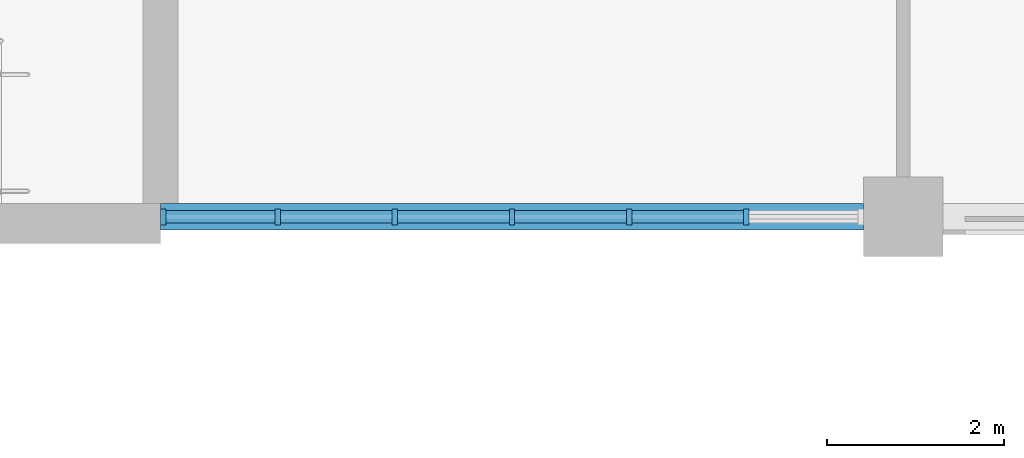
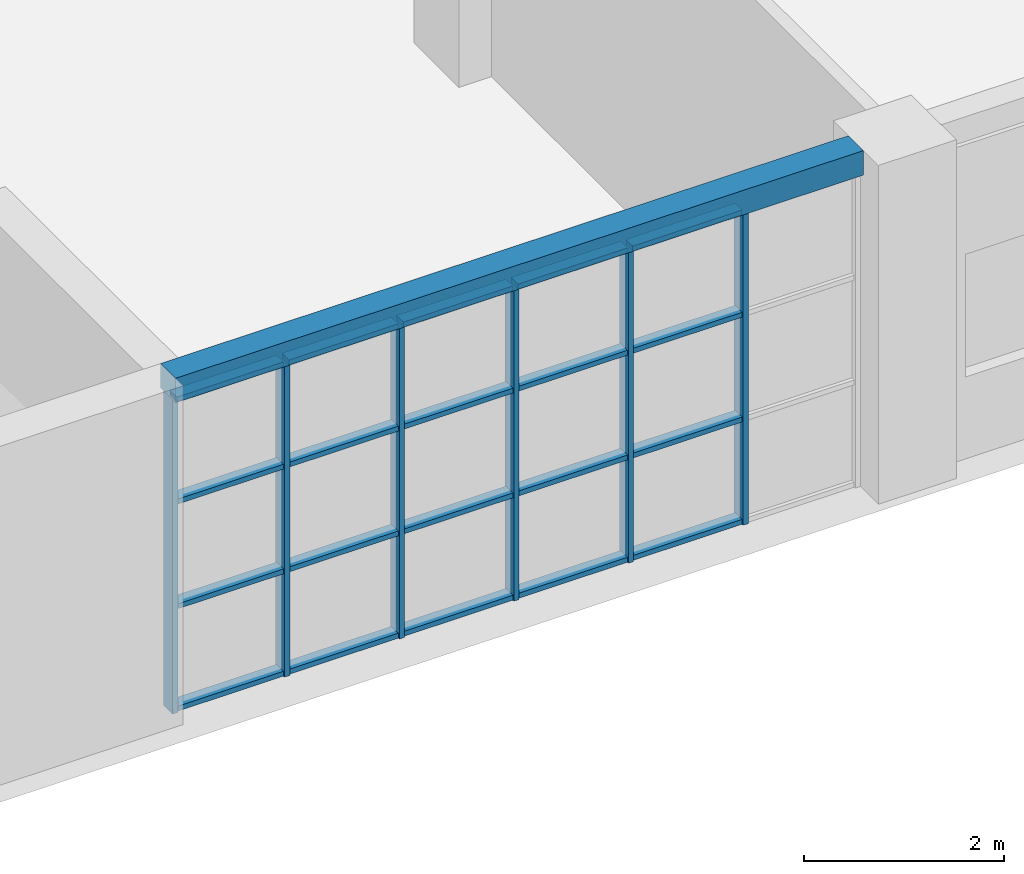
# One storey, part 36 of 138: 26 members, 1 beam, 1 element without a shape of its own.
"""IFC4 building model written with IfcOpenShell, lengths in metres."""

from ifc_helpers import new_model, si_unit, direction, frame, origin, origin_2d, place, context, subcontext, project, spatial, rectangle, extrude, material, material_profile, profile_set, type_object, element, aggregate, save


model = new_model("IFC4")

# Units and contexts
model_context = context("Model", 3, precision=1e-05, world=origin(), true_north=direction((0.0, 1.0)))
body_context = subcontext(model_context, "Body", "Model", "MODEL_VIEW")
ifc_project = project(units=[si_unit("LENGTHUNIT", "METRE"), si_unit("AREAUNIT", "SQUARE_METRE"), si_unit("VOLUMEUNIT", "CUBIC_METRE"), si_unit("PLANEANGLEUNIT", "RADIAN"), si_unit("MASSUNIT", "GRAM", prefix="KILO")], contexts=[model_context])

# Site, building, storey
site_placement = place(None, origin())
site = spatial("IfcSite", under=ifc_project, at=site_placement, CompositionType="ELEMENT")
building_placement = place(site_placement, origin())
building = spatial("IfcBuilding", under=site, at=building_placement, Name="Yavir Park General Hospital", CompositionType="ELEMENT")
storey_placement = place(building_placement, origin())
storey = spatial("IfcBuildingStorey", under=building, at=storey_placement, Name="L00", CompositionType="ELEMENT", Elevation=0.0)

# Beam
ifc_material_1 = material(Name="Concrete C35/45", Category="concrete")
ifc_material_profile_1 = material_profile(ifc_material_1, rectangle(XDim=0.300048828125, YDim=0.300048828125, at=origin_2d()), Name="RC300x300")
ifc_profile_set_1 = profile_set([ifc_material_profile_1], Name="Concrete C35/45")
beam_type = type_object("IfcBeamType", Name="RC BEAM 300x300 edge beam", PredefinedType="BEAM", material=ifc_profile_set_1)
beam_placement = place(storey_placement, frame((109.199951171875, 0.0, 3.989990234375), z_axis=(1.0, 0.0, 0.0), x_axis=(0.0, 1.0, 0.0)))
element("IfcBeam", 1, at=beam_placement, inside=storey, type_object=beam_type, Name="B:EDGE:L00:007", PredefinedType="BEAM", context=body_context, shape_type="SweptSolid", body=[
    extrude(rectangle(XDim=0.300048828125, YDim=0.300048828125, at=origin_2d()), origin(), (0.0, 0.0, 1.0), 7.949951171875),
])

# Curtain wall, members
ifc_material_2 = material(Name="Aluminium curtain wall frame with insulated glazing", Category="aluminium")
curtain_wall_type = type_object("IfcCurtainWallType", Name="Reception glazing, 3840 high, 1400 module", PredefinedType="NOTDEFINED", material=ifc_material_2)
curtain_wall_placement = place(storey_placement, origin())
curtain_wall = element("IfcCurtainWall", 2, at=curtain_wall_placement, inside=storey, type_object=curtain_wall_type, Name="CW8 L00-004", PredefinedType="NOTDEFINED")
ifc_material_3 = material(Name="Aluminium", Category="aluminium")
ifc_material_profile_2 = material_profile(ifc_material_3, rectangle(XDim=0.179931640625, YDim=0.06005859375, at=origin_2d()), Name="AL 60x180")
ifc_profile_set_2 = profile_set([ifc_material_profile_2], Name="Aluminium")
member_type_1 = type_object("IfcMemberType", Name="Reception glazing, 3840 high mullion 60 x 180", PredefinedType="MULLION", material=ifc_profile_set_2)
member_1_placement = place(storey_placement, frame((109.22998046875, 0.0, 0.0), z_axis=(0.0, 0.0, 1.0), x_axis=(0.0, 1.0, 0.0)))
member_1 = element("IfcMember", 3, at=member_1_placement, type_object=member_type_1, Name="CW8 mullion 1", PredefinedType="MULLION", context=body_context, shape_type="SweptSolid", body=[
    extrude(rectangle(XDim=0.179931640625, YDim=0.06005859375, at=origin_2d()), origin(), (0.0, 0.0, 1.0), 3.840087890625),
])
member_2_placement = place(storey_placement, frame((110.52490234375, 0.0, 0.0), z_axis=(0.0, 0.0, 1.0), x_axis=(0.0, 1.0, 0.0)))
member_2 = element("IfcMember", 4, at=member_2_placement, type_object=member_type_1, Name="CW8 mullion 2", PredefinedType="MULLION", context=body_context, shape_type="SweptSolid", body=[
    extrude(rectangle(XDim=0.179931640625, YDim=0.06005859375, at=origin_2d()), origin(), (0.0, 0.0, 1.0), 3.840087890625),
])
member_3_placement = place(storey_placement, frame((111.85009765625, 0.0, 0.0), z_axis=(0.0, 0.0, 1.0), x_axis=(0.0, 1.0, 0.0)))
member_3 = element("IfcMember", 5, at=member_3_placement, type_object=member_type_1, Name="CW8 mullion 3", PredefinedType="MULLION", context=body_context, shape_type="SweptSolid", body=[
    extrude(rectangle(XDim=0.179931640625, YDim=0.06005859375, at=origin_2d()), origin(), (0.0, 0.0, 1.0), 3.840087890625),
])
member_4_placement = place(storey_placement, frame((113.175048828125, 0.0, 0.0), z_axis=(0.0, 0.0, 1.0), x_axis=(0.0, 1.0, 0.0)))
member_4 = element("IfcMember", 6, at=member_4_placement, type_object=member_type_1, Name="CW8 mullion 4", PredefinedType="MULLION", context=body_context, shape_type="SweptSolid", body=[
    extrude(rectangle(XDim=0.179931640625, YDim=0.06005859375, at=origin_2d()), origin(), (0.0, 0.0, 1.0), 3.840087890625),
])
member_5_placement = place(storey_placement, frame((114.5, 0.0, 0.0), z_axis=(0.0, 0.0, 1.0), x_axis=(0.0, 1.0, 0.0)))
member_5 = element("IfcMember", 7, at=member_5_placement, type_object=member_type_1, Name="CW8 mullion 5", PredefinedType="MULLION", context=body_context, shape_type="SweptSolid", body=[
    extrude(rectangle(XDim=0.179931640625, YDim=0.06005859375, at=origin_2d()), origin(), (0.0, 0.0, 1.0), 3.840087890625),
])
member_6_placement = place(storey_placement, frame((115.824951171875, 0.0, 0.0), z_axis=(0.0, 0.0, 1.0), x_axis=(0.0, 1.0, 0.0)))
member_6 = element("IfcMember", 8, at=member_6_placement, type_object=member_type_1, Name="CW8 mullion 6", PredefinedType="MULLION", context=body_context, shape_type="SweptSolid", body=[
    extrude(rectangle(XDim=0.179931640625, YDim=0.06005859375, at=origin_2d()), origin(), (0.0, 0.0, 1.0), 3.840087890625),
])
ifc_material_4 = material(Name="Aluminium", Category="aluminium")
ifc_material_profile_3 = material_profile(ifc_material_4, rectangle(XDim=0.139892578125, YDim=0.06005859375, at=origin_2d()), Name="AL 140x60")
ifc_profile_set_3 = profile_set([ifc_material_profile_3], Name="Aluminium")
member_type_2 = type_object("IfcMemberType", Name="Reception glazing, 3840 high transom 60 x 140", PredefinedType="MULLION", material=ifc_profile_set_3)
member_7_placement = place(storey_placement, frame((109.260009765625, 0.0, 0.030029296875), z_axis=(1.0, 0.0, 0.0), x_axis=(0.0, 1.0, 0.0)))
member_7 = element("IfcMember", 9, at=member_7_placement, type_object=member_type_2, Name="CW8 transom 1.1", PredefinedType="MULLION", context=body_context, shape_type="SweptSolid", body=[
    extrude(rectangle(XDim=0.139892578125, YDim=0.06005859375, at=origin_2d()), origin(), (0.0, 0.0, 1.0), 1.235107421875),
])
member_8_placement = place(storey_placement, frame((109.260009765625, 0.0, 1.280029296875), z_axis=(1.0, 0.0, 0.0), x_axis=(0.0, 1.0, 0.0)))
member_8 = element("IfcMember", 10, at=member_8_placement, type_object=member_type_2, Name="CW8 transom 1.2", PredefinedType="MULLION", context=body_context, shape_type="SweptSolid", body=[
    extrude(rectangle(XDim=0.139892578125, YDim=0.06005859375, at=origin_2d()), origin(), (0.0, 0.0, 1.0), 1.235107421875),
])
member_9_placement = place(storey_placement, frame((109.260009765625, 0.0, 2.56005859375), z_axis=(1.0, 0.0, 0.0), x_axis=(0.0, 1.0, 0.0)))
member_9 = element("IfcMember", 11, at=member_9_placement, type_object=member_type_2, Name="CW8 transom 1.3", PredefinedType="MULLION", context=body_context, shape_type="SweptSolid", body=[
    extrude(rectangle(XDim=0.139892578125, YDim=0.06005859375, at=origin_2d()), origin(), (0.0, 0.0, 1.0), 1.235107421875),
])
member_10_placement = place(storey_placement, frame((109.260009765625, 0.0, 3.81005859375), z_axis=(1.0, 0.0, 0.0), x_axis=(0.0, 1.0, 0.0)))
member_10 = element("IfcMember", 12, at=member_10_placement, type_object=member_type_2, Name="CW8 transom 1.4", PredefinedType="MULLION", context=body_context, shape_type="SweptSolid", body=[
    extrude(rectangle(XDim=0.139892578125, YDim=0.06005859375, at=origin_2d()), origin(), (0.0, 0.0, 1.0), 1.235107421875),
])
member_11_placement = place(storey_placement, frame((110.554931640625, 0.0, 0.030029296875), z_axis=(1.0, 0.0, 0.0), x_axis=(0.0, 1.0, 0.0)))
member_11 = element("IfcMember", 13, at=member_11_placement, type_object=member_type_2, Name="CW8 transom 2.1", PredefinedType="MULLION", context=body_context, shape_type="SweptSolid", body=[
    extrude(rectangle(XDim=0.139892578125, YDim=0.06005859375, at=origin_2d()), origin(), (0.0, 0.0, 1.0), 1.26513671875),
])
member_12_placement = place(storey_placement, frame((110.554931640625, 0.0, 1.280029296875), z_axis=(1.0, 0.0, 0.0), x_axis=(0.0, 1.0, 0.0)))
member_12 = element("IfcMember", 14, at=member_12_placement, type_object=member_type_2, Name="CW8 transom 2.2", PredefinedType="MULLION", context=body_context, shape_type="SweptSolid", body=[
    extrude(rectangle(XDim=0.139892578125, YDim=0.06005859375, at=origin_2d()), origin(), (0.0, 0.0, 1.0), 1.26513671875),
])
member_13_placement = place(storey_placement, frame((110.554931640625, 0.0, 2.56005859375), z_axis=(1.0, 0.0, 0.0), x_axis=(0.0, 1.0, 0.0)))
member_13 = element("IfcMember", 15, at=member_13_placement, type_object=member_type_2, Name="CW8 transom 2.3", PredefinedType="MULLION", context=body_context, shape_type="SweptSolid", body=[
    extrude(rectangle(XDim=0.139892578125, YDim=0.06005859375, at=origin_2d()), origin(), (0.0, 0.0, 1.0), 1.26513671875),
])
member_14_placement = place(storey_placement, frame((110.554931640625, 0.0, 3.81005859375), z_axis=(1.0, 0.0, 0.0), x_axis=(0.0, 1.0, 0.0)))
member_14 = element("IfcMember", 16, at=member_14_placement, type_object=member_type_2, Name="CW8 transom 2.4", PredefinedType="MULLION", context=body_context, shape_type="SweptSolid", body=[
    extrude(rectangle(XDim=0.139892578125, YDim=0.06005859375, at=origin_2d()), origin(), (0.0, 0.0, 1.0), 1.26513671875),
])
member_15_placement = place(storey_placement, frame((111.8798828125, 0.0, 0.030029296875), z_axis=(1.0, 0.0, 0.0), x_axis=(0.0, 1.0, 0.0)))
member_15 = element("IfcMember", 17, at=member_15_placement, type_object=member_type_2, Name="CW8 transom 3.1", PredefinedType="MULLION", context=body_context, shape_type="SweptSolid", body=[
    extrude(rectangle(XDim=0.139892578125, YDim=0.06005859375, at=origin_2d()), origin(), (0.0, 0.0, 1.0), 1.26513671875),
])
member_16_placement = place(storey_placement, frame((111.8798828125, 0.0, 1.280029296875), z_axis=(1.0, 0.0, 0.0), x_axis=(0.0, 1.0, 0.0)))
member_16 = element("IfcMember", 18, at=member_16_placement, type_object=member_type_2, Name="CW8 transom 3.2", PredefinedType="MULLION", context=body_context, shape_type="SweptSolid", body=[
    extrude(rectangle(XDim=0.139892578125, YDim=0.06005859375, at=origin_2d()), origin(), (0.0, 0.0, 1.0), 1.26513671875),
])
member_17_placement = place(storey_placement, frame((111.8798828125, 0.0, 2.56005859375), z_axis=(1.0, 0.0, 0.0), x_axis=(0.0, 1.0, 0.0)))
member_17 = element("IfcMember", 19, at=member_17_placement, type_object=member_type_2, Name="CW8 transom 3.3", PredefinedType="MULLION", context=body_context, shape_type="SweptSolid", body=[
    extrude(rectangle(XDim=0.139892578125, YDim=0.06005859375, at=origin_2d()), origin(), (0.0, 0.0, 1.0), 1.26513671875),
])
member_18_placement = place(storey_placement, frame((111.8798828125, 0.0, 3.81005859375), z_axis=(1.0, 0.0, 0.0), x_axis=(0.0, 1.0, 0.0)))
member_18 = element("IfcMember", 20, at=member_18_placement, type_object=member_type_2, Name="CW8 transom 3.4", PredefinedType="MULLION", context=body_context, shape_type="SweptSolid", body=[
    extrude(rectangle(XDim=0.139892578125, YDim=0.06005859375, at=origin_2d()), origin(), (0.0, 0.0, 1.0), 1.26513671875),
])
member_19_placement = place(storey_placement, frame((113.205078125, 0.0, 0.030029296875), z_axis=(1.0, 0.0, 0.0), x_axis=(0.0, 1.0, 0.0)))
member_19 = element("IfcMember", 21, at=member_19_placement, type_object=member_type_2, Name="CW8 transom 4.1", PredefinedType="MULLION", context=body_context, shape_type="SweptSolid", body=[
    extrude(rectangle(XDim=0.139892578125, YDim=0.06005859375, at=origin_2d()), origin(), (0.0, 0.0, 1.0), 1.264892578125),
])
member_20_placement = place(storey_placement, frame((113.205078125, 0.0, 1.280029296875), z_axis=(1.0, 0.0, 0.0), x_axis=(0.0, 1.0, 0.0)))
member_20 = element("IfcMember", 22, at=member_20_placement, type_object=member_type_2, Name="CW8 transom 4.2", PredefinedType="MULLION", context=body_context, shape_type="SweptSolid", body=[
    extrude(rectangle(XDim=0.139892578125, YDim=0.06005859375, at=origin_2d()), origin(), (0.0, 0.0, 1.0), 1.264892578125),
])
member_21_placement = place(storey_placement, frame((113.205078125, 0.0, 2.56005859375), z_axis=(1.0, 0.0, 0.0), x_axis=(0.0, 1.0, 0.0)))
member_21 = element("IfcMember", 23, at=member_21_placement, type_object=member_type_2, Name="CW8 transom 4.3", PredefinedType="MULLION", context=body_context, shape_type="SweptSolid", body=[
    extrude(rectangle(XDim=0.139892578125, YDim=0.06005859375, at=origin_2d()), origin(), (0.0, 0.0, 1.0), 1.264892578125),
])
member_22_placement = place(storey_placement, frame((113.205078125, 0.0, 3.81005859375), z_axis=(1.0, 0.0, 0.0), x_axis=(0.0, 1.0, 0.0)))
member_22 = element("IfcMember", 24, at=member_22_placement, type_object=member_type_2, Name="CW8 transom 4.4", PredefinedType="MULLION", context=body_context, shape_type="SweptSolid", body=[
    extrude(rectangle(XDim=0.139892578125, YDim=0.06005859375, at=origin_2d()), origin(), (0.0, 0.0, 1.0), 1.264892578125),
])
member_23_placement = place(storey_placement, frame((114.530029296875, 0.0, 0.030029296875), z_axis=(1.0, 0.0, 0.0), x_axis=(0.0, 1.0, 0.0)))
member_23 = element("IfcMember", 25, at=member_23_placement, type_object=member_type_2, Name="CW8 transom 5.1", PredefinedType="MULLION", context=body_context, shape_type="SweptSolid", body=[
    extrude(rectangle(XDim=0.139892578125, YDim=0.06005859375, at=origin_2d()), origin(), (0.0, 0.0, 1.0), 1.264892578125),
])
member_24_placement = place(storey_placement, frame((114.530029296875, 0.0, 1.280029296875), z_axis=(1.0, 0.0, 0.0), x_axis=(0.0, 1.0, 0.0)))
member_24 = element("IfcMember", 26, at=member_24_placement, type_object=member_type_2, Name="CW8 transom 5.2", PredefinedType="MULLION", context=body_context, shape_type="SweptSolid", body=[
    extrude(rectangle(XDim=0.139892578125, YDim=0.06005859375, at=origin_2d()), origin(), (0.0, 0.0, 1.0), 1.264892578125),
])
member_25_placement = place(storey_placement, frame((114.530029296875, 0.0, 2.56005859375), z_axis=(1.0, 0.0, 0.0), x_axis=(0.0, 1.0, 0.0)))
member_25 = element("IfcMember", 27, at=member_25_placement, type_object=member_type_2, Name="CW8 transom 5.3", PredefinedType="MULLION", context=body_context, shape_type="SweptSolid", body=[
    extrude(rectangle(XDim=0.139892578125, YDim=0.06005859375, at=origin_2d()), origin(), (0.0, 0.0, 1.0), 1.264892578125),
])
member_26_placement = place(storey_placement, frame((114.530029296875, 0.0, 3.81005859375), z_axis=(1.0, 0.0, 0.0), x_axis=(0.0, 1.0, 0.0)))
member_26 = element("IfcMember", 28, at=member_26_placement, type_object=member_type_2, Name="CW8 transom 5.4", PredefinedType="MULLION", context=body_context, shape_type="SweptSolid", body=[
    extrude(rectangle(XDim=0.139892578125, YDim=0.06005859375, at=origin_2d()), origin(), (0.0, 0.0, 1.0), 1.264892578125),
])
aggregate(curtain_wall, [member_1, member_2, member_3, member_4, member_5, member_6, member_7, member_8, member_9, member_10, member_11, member_12, member_13, member_14, member_15, member_16, member_17, member_18, member_19, member_20, member_21, member_22, member_23, member_24, member_25, member_26])

save(model, "model.ifc")
